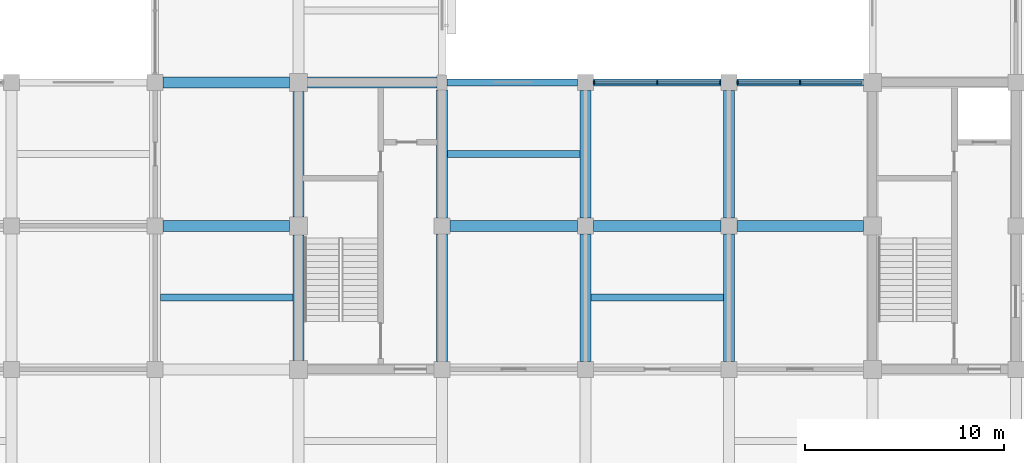
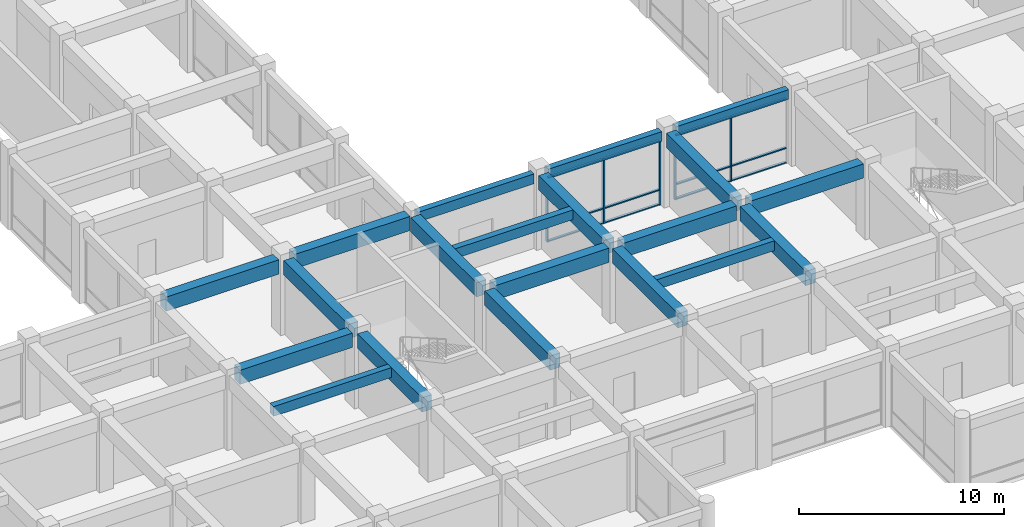
# One storey, part 5 of 75: 20 beams, 17 members, 2 elements without a shape of their own.
"""IFC4 building model written with IfcOpenShell, lengths in metres."""

from ifc_helpers import new_model, si_unit, direction, frame, origin, origin_2d, place, context, subcontext, project, spatial, rectangle, extrude, material, layer, layer_set, material_profile, profile_set, type_object, element, aggregate, save


model = new_model("IFC4")

# Units and contexts
model_context = context("Model", 3, precision=1e-05, world=origin(), true_north=direction((0.0, 1.0)))
body_context = subcontext(model_context, "Body", "Model", "MODEL_VIEW")
ifc_project = project(units=[si_unit("LENGTHUNIT", "METRE"), si_unit("AREAUNIT", "SQUARE_METRE"), si_unit("VOLUMEUNIT", "CUBIC_METRE"), si_unit("PLANEANGLEUNIT", "RADIAN"), si_unit("MASSUNIT", "GRAM", prefix="KILO")], contexts=[model_context])

# Site, building, storey
site_placement = place(None, origin())
site = spatial("IfcSite", under=ifc_project, at=site_placement, CompositionType="ELEMENT")
building_placement = place(site_placement, origin())
building = spatial("IfcBuilding", under=site, at=building_placement, Name="Cendaluz Park School", CompositionType="ELEMENT")
storey_placement = place(building_placement, frame((0.0, 0.0, 4.800048828125)))
storey = spatial("IfcBuildingStorey", under=building, at=storey_placement, Name="L01", CompositionType="ELEMENT", Elevation=4.800048828125)

# Beams
ifc_material_1 = material(Name="Concrete C40/50", Category="concrete")
ifc_material_profile_1 = material_profile(ifc_material_1, rectangle(XDim=0.550048828125, YDim=0.85009765625, at=origin_2d()), Name="RC 550x850", Category="concrete")
ifc_profile_set_1 = profile_set([ifc_material_profile_1], Name="Concrete C40/50")
beam_type_1 = type_object("IfcBeamType", Name="BM-RC01", PredefinedType="BEAM", material=ifc_profile_set_1)
for number, where, z_axis, x_axis, name in (
    (1, (29.199951171875, 21.60009765625, 4.0048828125), (1.0, 0.0, 0.0), (0.0, 1.0, 0.0), "BM-L01-BMRC01-0045"),
    (2, (29.199951171875, 28.800048828125, 4.0048828125), (1.0, 0.0, 0.0), (0.0, 1.0, 0.0), "BM-L01-BMRC01-0046"),
):
    element("IfcBeam", number, at=place(storey_placement, frame(where, z_axis=z_axis, x_axis=x_axis)), inside=storey, type_object=beam_type_1, Name=name, PredefinedType="BEAM", context=body_context, shape_type="SweptSolid", body=[
        extrude(rectangle(XDim=0.550048828125, YDim=0.85009765625, at=origin_2d()), origin(), (0.0, 0.0, 1.0), 6.35009765625),
    ])
beam_1_placement = place(storey_placement, frame((36.449951171875, 28.800048828125, 4.0048828125), z_axis=(1.0, 0.0, 0.0), x_axis=(0.0, 1.0, 0.0)))
element("IfcBeam", 3, at=beam_1_placement, inside=storey, type_object=beam_type_1, Name="BM-L01-BMRC01-0056", PredefinedType="BEAM", context=body_context, shape_type="SweptSolid", body=[
    extrude(rectangle(XDim=0.550048828125, YDim=0.85009765625, at=origin_2d()), origin(), (0.0, 0.0, 1.0), 6.5),
])
for number, where, z_axis, x_axis, name in (
    (4, (43.60009765625, 21.60009765625, 4.0048828125), (1.0, 0.0, 0.0), (0.0, 1.0, 0.0), "BM-L01-BMRC01-0071"),
    (5, (50.800048828125, 21.60009765625, 4.0048828125), (1.0, 0.0, 0.0), (0.0, 1.0, 0.0), "BM-L01-BMRC01-0075"),
):
    element("IfcBeam", number, at=place(storey_placement, frame(where, z_axis=z_axis, x_axis=x_axis)), inside=storey, type_object=beam_type_1, Name=name, PredefinedType="BEAM", context=body_context, shape_type="SweptSolid", body=[
        extrude(rectangle(XDim=0.550048828125, YDim=0.85009765625, at=origin_2d()), origin(), (0.0, 0.0, 1.0), 6.39990234375),
    ])
beam_2_placement = place(storey_placement, frame((58.0, 21.60009765625, 4.0048828125), z_axis=(1.0, 0.0, 0.0), x_axis=(0.0, 1.0, 0.0)))
element("IfcBeam", 6, at=beam_2_placement, inside=storey, type_object=beam_type_1, Name="BM-L01-BMRC01-0080", PredefinedType="BEAM", context=body_context, shape_type="SweptSolid", body=[
    extrude(rectangle(XDim=0.550048828125, YDim=0.85009765625, at=origin_2d()), origin(), (0.0, 0.0, 1.0), 6.35009765625),
])
beam_3_placement = place(storey_placement, frame((36.0, 14.85009765625, 4.0048828125), z_axis=(0.0, 1.0, 0.0), x_axis=(-1.0, 0.0, 0.0)))
element("IfcBeam", 7, at=beam_3_placement, inside=storey, type_object=beam_type_1, Name="BM-L01-BMRC01-0273", PredefinedType="BEAM", context=body_context, shape_type="SweptSolid", body=[
    extrude(rectangle(XDim=0.550048828125, YDim=0.85009765625, at=origin_2d()), origin(), (0.0, 0.0, 1.0), 6.2998046875),
])
beam_4_placement = place(storey_placement, frame((36.0, 22.050048828125, 4.0048828125), z_axis=(0.0, 1.0, 0.0), x_axis=(-1.0, 0.0, 0.0)))
element("IfcBeam", 8, at=beam_4_placement, inside=storey, type_object=beam_type_1, Name="BM-L01-BMRC01-0274", PredefinedType="BEAM", context=body_context, shape_type="SweptSolid", body=[
    extrude(rectangle(XDim=0.550048828125, YDim=0.85009765625, at=origin_2d()), origin(), (0.0, 0.0, 1.0), 6.300048828125),
])
beam_5_placement = place(storey_placement, frame((43.199951171875, 14.800048828125, 4.0048828125), z_axis=(0.0, 1.0, 0.0), x_axis=(-1.0, 0.0, 0.0)))
element("IfcBeam", 9, at=beam_5_placement, inside=storey, type_object=beam_type_1, Name="BM-L01-BMRC01-0289", PredefinedType="BEAM", context=body_context, shape_type="SweptSolid", body=[
    extrude(rectangle(XDim=0.550048828125, YDim=0.85009765625, at=origin_2d()), origin(), (0.0, 0.0, 1.0), 6.39990234375),
])
beam_6_placement = place(storey_placement, frame((43.199951171875, 22.0, 4.0048828125), z_axis=(0.0, 1.0, 0.0), x_axis=(-1.0, 0.0, 0.0)))
element("IfcBeam", 10, at=beam_6_placement, inside=storey, type_object=beam_type_1, Name="BM-L01-BMRC01-0290", PredefinedType="BEAM", context=body_context, shape_type="SweptSolid", body=[
    extrude(rectangle(XDim=0.550048828125, YDim=0.85009765625, at=origin_2d()), origin(), (0.0, 0.0, 1.0), 6.425048828125),
])
for number, where, z_axis, x_axis, name in (
    (11, (50.39990234375, 14.800048828125, 4.0048828125), (0.0, 1.0, 0.0), (-1.0, 0.0, 0.0), "BM-L01-BMRC01-0304"),
    (12, (50.39990234375, 22.0, 4.0048828125), (0.0, 1.0, 0.0), (-1.0, 0.0, 0.0), "BM-L01-BMRC01-0305"),
    (13, (57.60009765625, 14.800048828125, 4.0048828125), (0.0, 1.0, 0.0), (-1.0, 0.0, 0.0), "BM-L01-BMRC01-0308"),
    (14, (57.60009765625, 22.0, 4.0048828125), (0.0, 1.0, 0.0), (-1.0, 0.0, 0.0), "BM-L01-BMRC01-0309"),
):
    element("IfcBeam", number, at=place(storey_placement, frame(where, z_axis=z_axis, x_axis=x_axis)), inside=storey, type_object=beam_type_1, Name=name, PredefinedType="BEAM", context=body_context, shape_type="SweptSolid", body=[
        extrude(rectangle(XDim=0.550048828125, YDim=0.85009765625, at=origin_2d()), origin(), (0.0, 0.0, 1.0), 6.39990234375),
    ])
ifc_material_profile_2 = material_profile(ifc_material_1, rectangle(XDim=0.35009765625, YDim=0.580078125, at=origin_2d()), Name="RC 350x580", Category="concrete")
ifc_profile_set_2 = profile_set([ifc_material_profile_2], Name="Concrete C40/50")
beam_type_2 = type_object("IfcBeamType", Name="BM-RC04", PredefinedType="LINTEL", material=ifc_profile_set_2)
beam_7_placement = place(storey_placement, frame((43.449951171875, 28.800048828125, 4.139892578125), z_axis=(1.0, 0.0, 0.0), x_axis=(0.0, 1.0, 0.0)))
element("IfcBeam", 15, at=beam_7_placement, inside=storey, type_object=beam_type_2, Name="BM-L01-BMRC04-0072", PredefinedType="LINTEL", context=body_context, shape_type="SweptSolid", body=[
    extrude(rectangle(XDim=0.35009765625, YDim=0.580078125, at=origin_2d()), origin(), (0.0, 0.0, 1.0), 6.550048828125),
])
beam_8_placement = place(storey_placement, frame((50.800048828125, 28.800048828125, 4.139892578125), z_axis=(1.0, 0.0, 0.0), x_axis=(0.0, 1.0, 0.0)))
element("IfcBeam", 16, at=beam_8_placement, inside=storey, type_object=beam_type_2, Name="BM-L01-BMRC04-0076", PredefinedType="LINTEL", context=body_context, shape_type="SweptSolid", body=[
    extrude(rectangle(XDim=0.35009765625, YDim=0.580078125, at=origin_2d()), origin(), (0.0, 0.0, 1.0), 6.39990234375),
])
beam_9_placement = place(storey_placement, frame((58.0, 28.800048828125, 4.139892578125), z_axis=(1.0, 0.0, 0.0), x_axis=(0.0, 1.0, 0.0)))
element("IfcBeam", 17, at=beam_9_placement, inside=storey, type_object=beam_type_2, Name="BM-L01-BMRC04-0081", PredefinedType="LINTEL", context=body_context, shape_type="SweptSolid", body=[
    extrude(rectangle(XDim=0.35009765625, YDim=0.580078125, at=origin_2d()), origin(), (0.0, 0.0, 1.0), 6.35009765625),
])

# Curtain wall, members
ifc_material_2 = material(Name="Anodised Aluminium 6063-T6", Category="aluminium")
ifc_layer_1 = layer(ifc_material_2, 0.179931640625)
ifc_layer_set_1 = layer_set([ifc_layer_1], Name="Anodised Aluminium 6063-T6")
curtain_wall_type_1 = type_object("IfcCurtainWallType", Name="CW-128x77", PredefinedType="NOTDEFINED", material=ifc_layer_set_1)
curtain_wall_1_placement = place(storey_placement, origin())
curtain_wall_1 = element("IfcCurtainWall", 18, at=curtain_wall_1_placement, inside=storey, type_object=curtain_wall_type_1, Name="CW-L01-035", PredefinedType="NOTDEFINED")
ifc_material_profile_3 = material_profile(ifc_material_2, rectangle(XDim=0.179931640625, YDim=0.070068359375, at=origin_2d()), Name="CWM 180x70", Category="aluminium")
ifc_profile_set_3 = profile_set([ifc_material_profile_3], Name="Anodised Aluminium 6063-T6")
member_type_1 = type_object("IfcMemberType", Name="CWM-01", PredefinedType="MULLION", material=ifc_profile_set_3)
member_1_placement = place(storey_placement, frame((50.8349609375, 28.800048828125, 0.0), z_axis=(0.0, 0.0, 1.0), x_axis=(0.0, 1.0, 0.0)))
member_1 = element("IfcMember", 19, at=member_1_placement, type_object=member_type_1, Name="CP-L01-0443", PredefinedType="MULLION", context=body_context, shape_type="SweptSolid", body=[
    extrude(rectangle(XDim=0.179931640625, YDim=0.070068359375, at=origin_2d()), origin(), (0.0, 0.0, 1.0), 3.849853515625),
])
member_2_placement = place(storey_placement, frame((54.0, 28.800048828125, 0.0), z_axis=(0.0, 0.0, 1.0), x_axis=(0.0, 1.0, 0.0)))
member_2 = element("IfcMember", 20, at=member_2_placement, type_object=member_type_1, Name="CP-L01-0444", PredefinedType="MULLION", context=body_context, shape_type="SweptSolid", body=[
    extrude(rectangle(XDim=0.179931640625, YDim=0.070068359375, at=origin_2d()), origin(), (0.0, 0.0, 1.0), 3.849853515625),
])
member_3_placement = place(storey_placement, frame((57.1650390625, 28.800048828125, 0.0), z_axis=(0.0, 0.0, 1.0), x_axis=(0.0, 1.0, 0.0)))
member_3 = element("IfcMember", 21, at=member_3_placement, type_object=member_type_1, Name="CP-L01-0445", PredefinedType="MULLION", context=body_context, shape_type="SweptSolid", body=[
    extrude(rectangle(XDim=0.179931640625, YDim=0.070068359375, at=origin_2d()), origin(), (0.0, 0.0, 1.0), 3.849853515625),
])

ifc_layer_2 = layer(ifc_material_2, 0.179931640625)
ifc_layer_set_2 = layer_set([ifc_layer_2], Name="Anodised Aluminium 6063-T6")
curtain_wall_type_2 = type_object("IfcCurtainWallType", Name="CW-127x77", PredefinedType="NOTDEFINED", material=ifc_layer_set_2)
curtain_wall_2_placement = place(storey_placement, origin())
curtain_wall_2 = element("IfcCurtainWall", 22, at=curtain_wall_2_placement, inside=storey, type_object=curtain_wall_type_2, Name="CW-L01-038", PredefinedType="NOTDEFINED")
member_4_placement = place(storey_placement, frame((58.034912109375, 28.800048828125, 0.0), z_axis=(0.0, 0.0, 1.0), x_axis=(0.0, 1.0, 0.0)))
member_4 = element("IfcMember", 23, at=member_4_placement, type_object=member_type_1, Name="CP-L01-0482", PredefinedType="MULLION", context=body_context, shape_type="SweptSolid", body=[
    extrude(rectangle(XDim=0.179931640625, YDim=0.070068359375, at=origin_2d()), origin(), (0.0, 0.0, 1.0), 3.849853515625),
])
member_5_placement = place(storey_placement, frame((61.175048828125, 28.800048828125, 0.0), z_axis=(0.0, 0.0, 1.0), x_axis=(0.0, 1.0, 0.0)))
member_5 = element("IfcMember", 24, at=member_5_placement, type_object=member_type_1, Name="CP-L01-0483", PredefinedType="MULLION", context=body_context, shape_type="SweptSolid", body=[
    extrude(rectangle(XDim=0.179931640625, YDim=0.070068359375, at=origin_2d()), origin(), (0.0, 0.0, 1.0), 3.849853515625),
])

# Member
ifc_material_profile_4 = material_profile(ifc_material_2, rectangle(XDim=0.139892578125, YDim=0.070068359375, at=origin_2d()), Name="CWT 140x70", Category="aluminium")
ifc_profile_set_4 = profile_set([ifc_material_profile_4], Name="Anodised Aluminium 6063-T6")
member_type_2 = type_object("IfcMemberType", Name="CWT-01", PredefinedType="USERDEFINED", material=ifc_profile_set_4)
member_6_placement = place(storey_placement, frame((50.8701171875, 28.800048828125, 0.034912109375), z_axis=(1.0, 0.0, 0.0), x_axis=(0.0, 1.0, 0.0)))
member_6 = element("IfcMember", 25, at=member_6_placement, type_object=member_type_2, Name="CP-L01-0446", ObjectType="TRANSOM", PredefinedType="USERDEFINED", context=body_context, shape_type="SweptSolid", body=[
    extrude(rectangle(XDim=0.139892578125, YDim=0.070068359375, at=origin_2d()), origin(), (0.0, 0.0, 1.0), 3.094970703125),
])

member_7_placement = place(storey_placement, frame((50.8701171875, 28.800048828125, 0.89990234375), z_axis=(1.0, 0.0, 0.0), x_axis=(0.0, 1.0, 0.0)))
member_7 = element("IfcMember", 26, at=member_7_placement, type_object=member_type_2, Name="CP-L01-0447", ObjectType="TRANSOM", PredefinedType="USERDEFINED", context=body_context, shape_type="SweptSolid", body=[
    extrude(rectangle(XDim=0.139892578125, YDim=0.070068359375, at=origin_2d()), origin(), (0.0, 0.0, 1.0), 3.094970703125),
])

member_8_placement = place(storey_placement, frame((50.8701171875, 28.800048828125, 3.81494140625), z_axis=(1.0, 0.0, 0.0), x_axis=(0.0, 1.0, 0.0)))
member_8 = element("IfcMember", 27, at=member_8_placement, type_object=member_type_2, Name="CP-L01-0448", ObjectType="TRANSOM", PredefinedType="USERDEFINED", context=body_context, shape_type="SweptSolid", body=[
    extrude(rectangle(XDim=0.139892578125, YDim=0.070068359375, at=origin_2d()), origin(), (0.0, 0.0, 1.0), 3.094970703125),
])

member_9_placement = place(storey_placement, frame((54.034912109375, 28.800048828125, 0.034912109375), z_axis=(1.0, 0.0, 0.0), x_axis=(0.0, 1.0, 0.0)))
member_9 = element("IfcMember", 28, at=member_9_placement, type_object=member_type_2, Name="CP-L01-0451", ObjectType="TRANSOM", PredefinedType="USERDEFINED", context=body_context, shape_type="SweptSolid", body=[
    extrude(rectangle(XDim=0.139892578125, YDim=0.070068359375, at=origin_2d()), origin(), (0.0, 0.0, 1.0), 3.094970703125),
])

member_10_placement = place(storey_placement, frame((54.034912109375, 28.800048828125, 0.89990234375), z_axis=(1.0, 0.0, 0.0), x_axis=(0.0, 1.0, 0.0)))
member_10 = element("IfcMember", 29, at=member_10_placement, type_object=member_type_2, Name="CP-L01-0452", ObjectType="TRANSOM", PredefinedType="USERDEFINED", context=body_context, shape_type="SweptSolid", body=[
    extrude(rectangle(XDim=0.139892578125, YDim=0.070068359375, at=origin_2d()), origin(), (0.0, 0.0, 1.0), 3.094970703125),
])

member_11_placement = place(storey_placement, frame((54.034912109375, 28.800048828125, 3.81494140625), z_axis=(1.0, 0.0, 0.0), x_axis=(0.0, 1.0, 0.0)))
member_11 = element("IfcMember", 30, at=member_11_placement, type_object=member_type_2, Name="CP-L01-0453", ObjectType="TRANSOM", PredefinedType="USERDEFINED", context=body_context, shape_type="SweptSolid", body=[
    extrude(rectangle(XDim=0.139892578125, YDim=0.070068359375, at=origin_2d()), origin(), (0.0, 0.0, 1.0), 3.094970703125),
])

aggregate(curtain_wall_1, [member_1, member_2, member_3, member_6, member_7, member_8, member_9, member_10, member_11])

member_12_placement = place(storey_placement, frame((58.070068359375, 28.800048828125, 0.034912109375), z_axis=(1.0, 0.0, 0.0), x_axis=(0.0, 1.0, 0.0)))
member_12 = element("IfcMember", 31, at=member_12_placement, type_object=member_type_2, Name="CP-L01-0485", ObjectType="TRANSOM", PredefinedType="USERDEFINED", context=body_context, shape_type="SweptSolid", body=[
    extrude(rectangle(XDim=0.139892578125, YDim=0.070068359375, at=origin_2d()), origin(), (0.0, 0.0, 1.0), 3.06982421875),
])

member_13_placement = place(storey_placement, frame((58.070068359375, 28.800048828125, 0.89990234375), z_axis=(1.0, 0.0, 0.0), x_axis=(0.0, 1.0, 0.0)))
member_13 = element("IfcMember", 32, at=member_13_placement, type_object=member_type_2, Name="CP-L01-0486", ObjectType="TRANSOM", PredefinedType="USERDEFINED", context=body_context, shape_type="SweptSolid", body=[
    extrude(rectangle(XDim=0.139892578125, YDim=0.070068359375, at=origin_2d()), origin(), (0.0, 0.0, 1.0), 3.06982421875),
])

member_14_placement = place(storey_placement, frame((58.070068359375, 28.800048828125, 3.81494140625), z_axis=(1.0, 0.0, 0.0), x_axis=(0.0, 1.0, 0.0)))
member_14 = element("IfcMember", 33, at=member_14_placement, type_object=member_type_2, Name="CP-L01-0487", ObjectType="TRANSOM", PredefinedType="USERDEFINED", context=body_context, shape_type="SweptSolid", body=[
    extrude(rectangle(XDim=0.139892578125, YDim=0.070068359375, at=origin_2d()), origin(), (0.0, 0.0, 1.0), 3.06982421875),
])

member_15_placement = place(storey_placement, frame((61.2099609375, 28.800048828125, 0.034912109375), z_axis=(1.0, 0.0, 0.0), x_axis=(0.0, 1.0, 0.0)))
member_15 = element("IfcMember", 34, at=member_15_placement, type_object=member_type_2, Name="CP-L01-0490", ObjectType="TRANSOM", PredefinedType="USERDEFINED", context=body_context, shape_type="SweptSolid", body=[
    extrude(rectangle(XDim=0.139892578125, YDim=0.070068359375, at=origin_2d()), origin(), (0.0, 0.0, 1.0), 3.070068359375),
])

member_16_placement = place(storey_placement, frame((61.2099609375, 28.800048828125, 0.89990234375), z_axis=(1.0, 0.0, 0.0), x_axis=(0.0, 1.0, 0.0)))
member_16 = element("IfcMember", 35, at=member_16_placement, type_object=member_type_2, Name="CP-L01-0491", ObjectType="TRANSOM", PredefinedType="USERDEFINED", context=body_context, shape_type="SweptSolid", body=[
    extrude(rectangle(XDim=0.139892578125, YDim=0.070068359375, at=origin_2d()), origin(), (0.0, 0.0, 1.0), 3.070068359375),
])

member_17_placement = place(storey_placement, frame((61.2099609375, 28.800048828125, 3.81494140625), z_axis=(1.0, 0.0, 0.0), x_axis=(0.0, 1.0, 0.0)))
member_17 = element("IfcMember", 36, at=member_17_placement, type_object=member_type_2, Name="CP-L01-0492", ObjectType="TRANSOM", PredefinedType="USERDEFINED", context=body_context, shape_type="SweptSolid", body=[
    extrude(rectangle(XDim=0.139892578125, YDim=0.070068359375, at=origin_2d()), origin(), (0.0, 0.0, 1.0), 3.070068359375),
])

aggregate(curtain_wall_2, [member_4, member_5, member_12, member_13, member_14, member_15, member_16, member_17])

# Beams
ifc_material_profile_5 = material_profile(ifc_material_1, rectangle(XDim=0.35009765625, YDim=0.580078125, at=origin_2d()), Name="RC 350x580", Category="concrete")
ifc_profile_set_5 = profile_set([ifc_material_profile_5], Name="Concrete C40/50")
beam_type_3 = type_object("IfcBeamType", Name="JT-RC01", PredefinedType="JOIST", material=ifc_profile_set_5)
beam_10_placement = place(storey_placement, frame((29.074951171875, 18.0, 4.139892578125), z_axis=(1.0, 0.0, 0.0), x_axis=(0.0, 1.0, 0.0)))
element("IfcBeam", 37, at=beam_10_placement, inside=storey, type_object=beam_type_3, Name="BM-L01-JTRC01-0476", PredefinedType="JOIST", context=body_context, shape_type="SweptSolid", body=[
    extrude(rectangle(XDim=0.35009765625, YDim=0.580078125, at=origin_2d()), origin(), (0.0, 0.0, 1.0), 6.650146484375),
])
for number, where, z_axis, x_axis, name in (
    (38, (43.47509765625, 25.199951171875, 4.139892578125), (1.0, 0.0, 0.0), (0.0, 1.0, 0.0), "BM-L01-JTRC01-0484"),
    (39, (50.675048828125, 18.0, 4.139892578125), (1.0, 0.0, 0.0), (0.0, 1.0, 0.0), "BM-L01-JTRC01-0485"),
):
    element("IfcBeam", number, at=place(storey_placement, frame(where, z_axis=z_axis, x_axis=x_axis)), inside=storey, type_object=beam_type_3, Name=name, PredefinedType="JOIST", context=body_context, shape_type="SweptSolid", body=[
        extrude(rectangle(XDim=0.35009765625, YDim=0.580078125, at=origin_2d()), origin(), (0.0, 0.0, 1.0), 6.64990234375),
    ])

save(model, "model.ifc")
